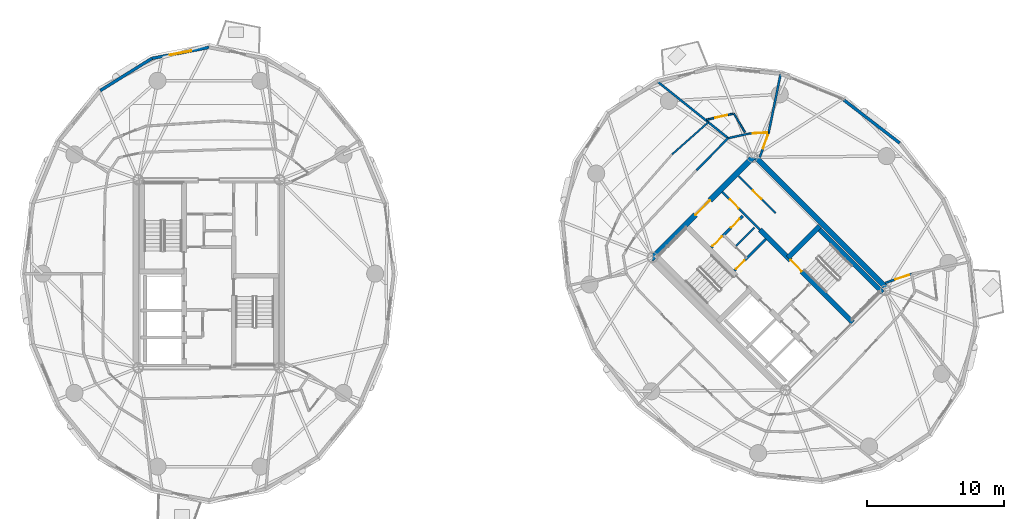
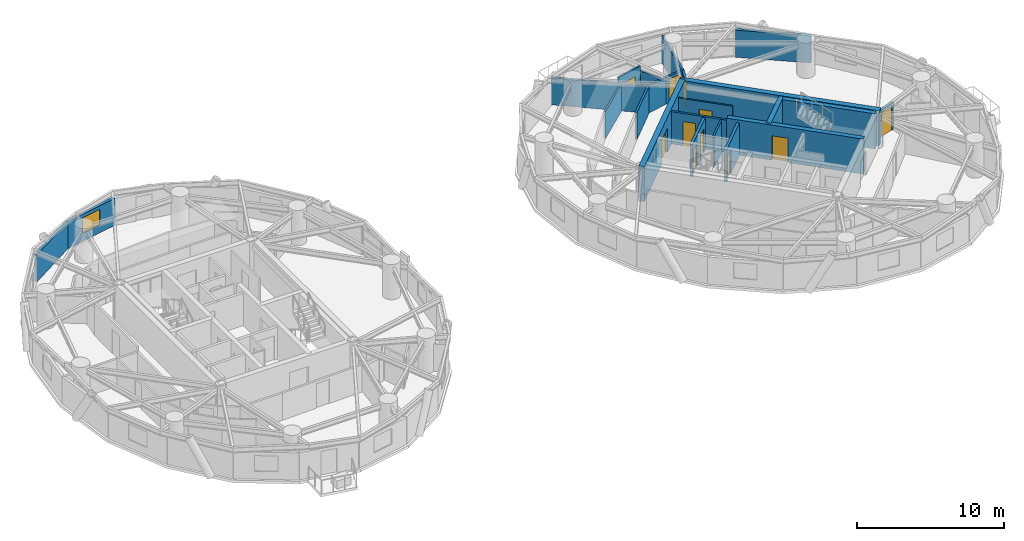
# One storey, part 12 of 16: 23 walls, 11 doors, 1 window, 12 openings.
"""IFC4 building model written with IfcOpenShell, lengths in metres."""

from ifc_helpers import new_model, si_unit, direction, frame, frame_2d, origin, place, context, subcontext, project, spatial, rectangle, extrude, source, transform, mapped, material, layer, layer_set, type_object, element, fill, save


model = new_model("IFC4")

# Units and contexts
model_context = context("Model", 3, precision=1e-05, world=origin(), true_north=direction((0.0, 1.0)))
body_context = subcontext(model_context, "Body", "Model", "MODEL_VIEW")
ifc_project = project(units=[si_unit("LENGTHUNIT", "METRE"), si_unit("AREAUNIT", "SQUARE_METRE"), si_unit("VOLUMEUNIT", "CUBIC_METRE"), si_unit("PLANEANGLEUNIT", "RADIAN"), si_unit("MASSUNIT", "GRAM", prefix="KILO")], contexts=[model_context])

# Site, building, storey
site_placement = place(None, origin())
site = spatial("IfcSite", under=ifc_project, at=site_placement, CompositionType="ELEMENT")
building_placement = place(site_placement, origin())
building = spatial("IfcBuilding", under=site, at=building_placement, Name="Cununo Teusaquillo Station Towers", CompositionType="ELEMENT")
storey_placement = place(building_placement, frame((0.0, 0.0, 171.969970703125)))
storey = spatial("IfcBuildingStorey", under=building, at=storey_placement, Name="L54", CompositionType="ELEMENT", Elevation=171.969970703125)

# Wall, opening, door
ifc_material_1 = material(Name="Concrete C50/60", Category="concrete")
ifc_layer_1 = layer(ifc_material_1, 0.35009765625)
ifc_layer_set_1 = layer_set([ifc_layer_1], Name="Concrete C50/60")
wall_type_1 = type_object("IfcWallType", Name="WL-CORE-350", PredefinedType="SHEAR", material=ifc_layer_set_1)
wall_1_placement = place(storey_placement, frame((63.627197265625, 20.939697265625, 0.0), z_axis=(0.0, 0.0, 1.0), x_axis=(-0.707119496762, 0.707094065383, 0.0)))
wall_1 = element("IfcWall", 1, at=wall_1_placement, inside=storey, type_object=wall_type_1, Name="L54 Tower B Core Shear Wall IE", PredefinedType="SHEAR", context=body_context, shape_type="SweptSolid", body=[
    extrude(rectangle(XDim=9.60009765625, YDim=0.35009765625, at=frame_2d((4.800048828125, 0.0))), origin(), (0.0, 0.0, 1.0), 2.909912109375),
])
shared_shape_1 = source(origin(), body_context, "Body", "SweptSolid", [
    extrude(rectangle(XDim=1.14990234375, YDim=2.02001953125, at=frame_2d((0.574951171875, 1.010009765625))), frame((0.0, 0.18505859375, 0.0), z_axis=(0.0, -1.0, 0.0), x_axis=(1.0, 0.0, 0.0)), (0.0, 0.0, 1.0), 0.3701171875),
])
opening_1_placement = place(wall_1_placement, frame((5.280029296875, 0.0, 0.0)))
opening_1 = element("IfcOpeningElement", 2, at=opening_1_placement, cuts=wall_1, Name="Opening D-ST1", PredefinedType="OPENING", context=body_context, shape_type="MappedRepresentation", body=[
    mapped(shared_shape_1, transform((0.0, 0.0, 0.0), x_axis=(1.0, 0.0, 0.0), y_axis=(0.0, 1.0, 0.0), z_axis=(0.0, 0.0, 1.0), scale=1.0)),
])
ifc_material_2 = material(Name="Galvanised fire-rated hollow steel door assembly", Category="steel")
door_type_1 = type_object("IfcDoorType", Name="DR-STAIR-1150", OperationType="NOTDEFINED", PredefinedType="DOOR", material=ifc_material_2)
shared_shape_2 = source(origin(), body_context, "Body", "SweptSolid", [
    extrude(rectangle(XDim=1.14990234375, YDim=2.02001953125, at=frame_2d((0.574951171875, 1.010009765625))), frame((0.0, 0.02490234375, 0.0), z_axis=(0.0, -1.0, 0.0), x_axis=(1.0, 0.0, 0.0)), (0.0, 0.0, 1.0), 0.050048828125),
])
door_1_placement = place(opening_1_placement, origin())
door_1 = element("IfcDoor", 3, at=door_1_placement, inside=storey, type_object=door_type_1, Name="L54 Tower B Exit Stair 2 Fire Door", OperationType="SINGLE_SWING_RIGHT", OverallHeight=2.02001953125, OverallWidth=1.14990234375, PredefinedType="DOOR", context=body_context, shape_type="MappedRepresentation", body=[
    mapped(shared_shape_2, transform((0.0, 0.0, 0.0), x_axis=(1.0, 0.0, 0.0), y_axis=(0.0, 1.0, 0.0), z_axis=(0.0, 0.0, 1.0), scale=1.0)),
])
fill(opening_1, door_1)

# Walls
wall_2_placement = place(storey_placement, frame((65.81201171875, 23.124755859375, 0.0), z_axis=(0.0, 0.0, 1.0), x_axis=(-0.707106781187, 0.707106781187, 0.0)))
element("IfcWall", 4, at=wall_2_placement, inside=storey, type_object=wall_type_1, Name="L54 Tower B Core Shear Wall ST2E", PredefinedType="SHEAR", context=body_context, shape_type="SweptSolid", body=[
    extrude(rectangle(XDim=6.695068359375, YDim=0.35009765625, at=frame_2d((3.34765625, 0.0))), origin(), (0.0, 0.0, 1.0), 2.909912109375),
])
wall_3_placement = place(storey_placement, frame((58.89306640625, 25.673828125, 0.0), z_axis=(0.0, 0.0, 1.0), x_axis=(0.707106781187, 0.707106781187, 0.0)))
element("IfcWall", 5, at=wall_3_placement, inside=storey, type_object=wall_type_1, Name="L54 Tower B Core Shear Wall ST2N", PredefinedType="SHEAR", context=body_context, shape_type="SweptSolid", body=[
    extrude(rectangle(XDim=3.284912109375, YDim=0.35009765625, at=frame_2d((1.642578125, 0.0))), origin(), (0.0, 0.0, 1.0), 2.909912109375),
])
ifc_material_3 = material(Name="Concrete C50/60", Category="concrete")
ifc_layer_2 = layer(ifc_material_3, 0.39990234375)
ifc_layer_set_2 = layer_set([ifc_layer_2], Name="Concrete C50/60")
wall_type_2 = type_object("IfcWallType", Name="WL-CORE-400", PredefinedType="SHEAR", material=ifc_layer_set_2)
wall_4_placement = place(storey_placement, frame((66.26806640625, 23.2978515625, 0.0), z_axis=(0.0, 0.0, 1.0), x_axis=(-0.707106781187, 0.707106781187, 0.0)))
element("IfcWall", 6, at=wall_4_placement, inside=storey, type_object=wall_type_2, Name="L54 Tower B Core Shear Wall E", PredefinedType="SHEAR", context=body_context, shape_type="SweptSolid", body=[
    extrude(rectangle(XDim=14.10009765625, YDim=0.39990234375, at=frame_2d((7.050048828125, 0.0))), origin(), (0.0, 0.0, 1.0), 2.909912109375),
])

# Wall, opening, door
wall_5_placement = place(storey_placement, frame((48.873291015625, 25.560791015625, 0.0), z_axis=(0.0, 0.0, 1.0), x_axis=(0.707106781187, 0.707106781187, 0.0)))
wall_5 = element("IfcWall", 7, at=wall_5_placement, inside=storey, type_object=wall_type_2, Name="L54 Tower B Core Shear Wall N", PredefinedType="SHEAR", context=body_context, shape_type="SweptSolid", body=[
    extrude(rectangle(XDim=10.69970703125, YDim=0.39990234375, at=frame_2d((5.349853515625, 0.0))), origin(), (0.0, 0.0, 1.0), 2.909912109375),
])
shared_shape_3 = source(origin(), body_context, "Body", "SweptSolid", [
    extrude(rectangle(XDim=1.5, YDim=2.02001953125, at=frame_2d((0.75, 1.010009765625))), frame((0.0, 0.2099609375, 0.0), z_axis=(0.0, -1.0, 0.0), x_axis=(1.0, 0.0, 0.0)), (0.0, 0.0, 1.0), 0.419921875),
])
opening_2_placement = place(wall_5_placement, frame((4.60009765625, 0.0, 0.0)))
opening_2 = element("IfcOpeningElement", 8, at=opening_2_placement, cuts=wall_5, Name="Opening D-LB1", PredefinedType="OPENING", context=body_context, shape_type="MappedRepresentation", body=[
    mapped(shared_shape_3, transform((0.0, 0.0, 0.0), x_axis=(1.0, 0.0, 0.0), y_axis=(0.0, 1.0, 0.0), z_axis=(0.0, 0.0, 1.0), scale=1.0)),
])
ifc_material_4 = material(Name="Galvanised fire-rated hollow steel door assembly", Category="steel")
door_type_2 = type_object("IfcDoorType", Name="DR-LOBBY-1500", OperationType="DOUBLE_DOOR_SINGLE_SWING", PredefinedType="DOOR", material=ifc_material_4)
shared_shape_4 = source(origin(), body_context, "Body", "SweptSolid", [
    extrude(rectangle(XDim=1.5, YDim=2.02001953125, at=frame_2d((0.75, 1.010009765625))), frame((0.0, 0.02490234375, 0.0), z_axis=(0.0, -1.0, 0.0), x_axis=(1.0, 0.0, 0.0)), (0.0, 0.0, 1.0), 0.050048828125),
])
door_2_placement = place(opening_2_placement, origin())
door_2 = element("IfcDoor", 9, at=door_2_placement, inside=storey, type_object=door_type_2, Name="L54 Tower B North Core Lift Lobby Door", OperationType="DOUBLE_DOOR_SINGLE_SWING", OverallHeight=2.02001953125, OverallWidth=1.5, PredefinedType="DOOR", context=body_context, shape_type="MappedRepresentation", body=[
    mapped(shared_shape_4, transform((0.0, 0.0, 0.0), x_axis=(1.0, 0.0, 0.0), y_axis=(0.0, 1.0, 0.0), z_axis=(0.0, 0.0, 1.0), scale=1.0)),
])
fill(opening_2, door_2)

# Wall, opening, window
ifc_material_5 = material(Name="Precast concrete C40/50", Category="concrete")
ifc_layer_3 = layer(ifc_material_5, 0.219970703125)
ifc_layer_set_3 = layer_set([ifc_layer_3], Name="Precast concrete C40/50")
wall_type_3 = type_object("IfcWallType", Name="WL-EXT-220", PredefinedType="SOLIDWALL", material=ifc_layer_set_3)
wall_6_placement = place(storey_placement, frame((12.318603515625, 40.259033203125, 0.0), z_axis=(0.0, 0.0, 1.0), x_axis=(0.981703883443, 0.190413983815, 0.0)))
wall_6 = element("IfcWall", 10, at=wall_6_placement, inside=storey, type_object=wall_type_3, Name="L54 Tower A Exterior Facade Wall C05", PredefinedType="SOLIDWALL", context=body_context, shape_type="SweptSolid", body=[
    extrude(rectangle(XDim=4.25927734375, YDim=0.219970703125, at=frame_2d((2.129638671875, 0.0))), origin(), (0.0, 0.0, 1.0), 2.2451171875),
])
shared_shape_5 = source(origin(), body_context, "Body", "SweptSolid", [
    extrude(rectangle(XDim=1.60009765625, YDim=1.300048828125, at=frame_2d((0.800048828125, 0.64990234375))), frame((0.0, 0.119873046875, 0.0), z_axis=(0.0, -1.0, 0.0), x_axis=(1.0, 0.0, 0.0)), (0.0, 0.0, 1.0), 0.239990234375),
])
opening_3_placement = place(wall_6_placement, frame((1.330078125, 0.0, 0.64990234375)))
opening_3 = element("IfcOpeningElement", 11, at=opening_3_placement, cuts=wall_6, Name="Opening WN-03", PredefinedType="OPENING", context=body_context, shape_type="MappedRepresentation", body=[
    mapped(shared_shape_5, transform((0.0, 0.0, 0.0), x_axis=(1.0, 0.0, 0.0), y_axis=(0.0, 1.0, 0.0), z_axis=(0.0, 0.0, 1.0), scale=1.0)),
])
ifc_material_6 = material(Name="Ceramic-fritted dark low-E double glazing", Category="glass")
window_type = type_object("IfcWindowType", Name="WIN-CORN-1600", PartitioningType="SINGLE_PANEL", PredefinedType="WINDOW", material=ifc_material_6)
shared_shape_6 = source(origin(), body_context, "Body", "SweptSolid", [
    extrude(rectangle(XDim=1.60009765625, YDim=1.300048828125, at=frame_2d((0.800048828125, 0.64990234375))), frame((0.0, 0.030029296875, 0.0), z_axis=(0.0, -1.0, 0.0), x_axis=(1.0, 0.0, 0.0)), (0.0, 0.0, 1.0), 0.06005859375),
])
window_placement = place(opening_3_placement, origin())
window = element("IfcWindow", 12, at=window_placement, inside=storey, type_object=window_type, Name="L54 Tower A Facade Window C05", OverallHeight=1.300048828125, OverallWidth=1.60009765625, PartitioningType="SINGLE_PANEL", PredefinedType="WINDOW", context=body_context, shape_type="MappedRepresentation", body=[
    mapped(shared_shape_6, transform((0.0, 0.0, 0.0), x_axis=(1.0, 0.0, 0.0), y_axis=(0.0, 1.0, 0.0), z_axis=(0.0, 0.0, 1.0), scale=1.0)),
])
fill(opening_3, window)

# Walls
wall_7_placement = place(storey_placement, frame((8.546630859375, 37.905517578125, 0.0), z_axis=(0.0, 0.0, 1.0), x_axis=(0.848399108042, 0.529357113368, 0.0)))
element("IfcWall", 13, at=wall_7_placement, inside=storey, type_object=wall_type_3, Name="L54 Tower A Exterior Facade Wall C06", PredefinedType="SOLIDWALL", context=body_context, shape_type="SweptSolid", body=[
    extrude(rectangle(XDim=4.446044921875, YDim=0.219970703125, at=frame_2d((2.22314453125, 0.0))), origin(), (0.0, 0.0, 1.0), 2.2451171875),
])
wall_8_placement = place(storey_placement, frame((62.97900390625, 37.22021484375, 0.0), z_axis=(0.0, 0.0, 1.0), x_axis=(0.791962560189, -0.610569654715, 0.0)))
element("IfcWall", 14, at=wall_8_placement, inside=storey, type_object=wall_type_3, Name="L54 Tower B Exterior Facade Wall C00", PredefinedType="SOLIDWALL", context=body_context, shape_type="SweptSolid", body=[
    extrude(rectangle(XDim=5.162841796875, YDim=0.219970703125, at=frame_2d((2.58154296875, 0.0))), origin(), (0.0, 0.0, 1.0), 2.2451171875),
])
ifc_material_7 = material(Name="Fire-rated gypsum plasterboard partition assembly", Category="gypsum")
ifc_layer_4 = layer(ifc_material_7, 0.125)
ifc_layer_set_4 = layer_set([ifc_layer_4], Name="Fire-rated gypsum plasterboard partition assembly")
wall_type_4 = type_object("IfcWallType", Name="WL-PART-125", PredefinedType="PARTITIONING", material=ifc_layer_set_4)
wall_9_placement = place(storey_placement, frame((55.0888671875, 26.54345703125, 0.0), z_axis=(0.0, 0.0, 1.0), x_axis=(0.707106781187, 0.707106781187, 0.0)))
element("IfcWall", 15, at=wall_9_placement, inside=storey, type_object=wall_type_4, Name="L54 Tower B Core Horizontal Split Wall", PredefinedType="PARTITIONING", context=body_context, shape_type="SweptSolid", body=[
    extrude(rectangle(XDim=1.8798828125, YDim=0.125, at=frame_2d((0.93994140625, 0.0))), origin(), (0.0, 0.0, 1.0), 2.675048828125),
])

# Wall, opening, door
wall_10_placement = place(storey_placement, frame((57.980712890625, 28.940673828125, 0.0), z_axis=(0.0, 0.0, 1.0), x_axis=(-0.707074823725, 0.707138737204, 0.0)))
wall_10 = element("IfcWall", 16, at=wall_10_placement, inside=storey, type_object=wall_type_4, Name="L54 Tower B Reclaimed Bay Vertical Split Wall", PredefinedType="PARTITIONING", context=body_context, shape_type="SweptSolid", body=[
    extrude(rectangle(XDim=3.81982421875, YDim=0.125, at=frame_2d((1.909912109375, 0.0))), origin(), (0.0, 0.0, 1.0), 2.675048828125),
])
shared_shape_7 = source(origin(), body_context, "Body", "SweptSolid", [
    extrude(rectangle(XDim=0.89990234375, YDim=2.0048828125, at=frame_2d((0.449951171875, 1.00244140625))), frame((0.0, 0.072509765625, 0.0), z_axis=(0.0, -1.0, 0.0), x_axis=(1.0, 0.0, 0.0)), (0.0, 0.0, 1.0), 0.14501953125),
])
opening_4_placement = place(wall_10_placement, frame((1.449951171875, 0.0, 0.0)))
opening_4 = element("IfcOpeningElement", 17, at=opening_4_placement, cuts=wall_10, Name="Opening D-IN1", PredefinedType="OPENING", context=body_context, shape_type="MappedRepresentation", body=[
    mapped(shared_shape_7, transform((0.0, 0.0, 0.0), x_axis=(1.0, 0.0, 0.0), y_axis=(0.0, 1.0, 0.0), z_axis=(0.0, 0.0, 1.0), scale=1.0)),
])
ifc_material_8 = material(Name="Acoustic solid-core hardwood leaf assembly", Category="wood")
door_type_3 = type_object("IfcDoorType", Name="DR-INT-900", OperationType="NOTDEFINED", PredefinedType="DOOR", material=ifc_material_8)
shared_shape_8 = source(origin(), body_context, "Body", "SweptSolid", [
    extrude(rectangle(XDim=0.89990234375, YDim=2.0048828125, at=frame_2d((0.449951171875, 1.00244140625))), frame((0.0, 0.02490234375, 0.0), z_axis=(0.0, -1.0, 0.0), x_axis=(1.0, 0.0, 0.0)), (0.0, 0.0, 1.0), 0.050048828125),
])
door_3_placement = place(opening_4_placement, origin())
door_3 = element("IfcDoor", 18, at=door_3_placement, inside=storey, type_object=door_type_3, Name="L54 Tower B Reclaimed Acoustic Booth Door", OperationType="SINGLE_SWING_LEFT", OverallHeight=2.0048828125, OverallWidth=0.89990234375, PredefinedType="DOOR", context=body_context, shape_type="MappedRepresentation", body=[
    mapped(shared_shape_8, transform((0.0, 0.0, 0.0), x_axis=(1.0, 0.0, 0.0), y_axis=(0.0, 1.0, 0.0), z_axis=(0.0, 0.0, 1.0), scale=1.0)),
])
fill(opening_4, door_3)

# Wall
wall_11_placement = place(storey_placement, frame((55.7373046875, 34.8525390625, 0.0), z_axis=(0.0, 0.0, 1.0), x_axis=(-0.506282425857, 0.862367732043, 0.0)))
element("IfcWall", 19, at=wall_11_placement, inside=storey, type_object=wall_type_4, Name="L54 Tower B S01 En-suite Side Wall", PredefinedType="PARTITIONING", context=body_context, shape_type="SweptSolid", body=[
    extrude(rectangle(XDim=1.59130859375, YDim=0.125, at=frame_2d((0.795654296875, 0.0))), origin(), (0.0, 0.0, 1.0), 2.2451171875),
])

# Wall, opening, door
wall_12_placement = place(storey_placement, frame((54.87109375, 36.211181640625, 0.0), z_axis=(0.0, 0.0, 1.0), x_axis=(-0.975212623293, -0.221269833846, 0.0)))
wall_12 = element("IfcWall", 20, at=wall_12_placement, inside=storey, type_object=wall_type_4, Name="L54 Tower B S01 En-suite Back Wall", PredefinedType="PARTITIONING", context=body_context, shape_type="SweptSolid", body=[
    extrude(rectangle(XDim=1.982666015625, YDim=0.125, at=frame_2d((0.9912109375, 0.0))), origin(), (0.0, 0.0, 1.0), 2.675048828125),
])
opening_5_placement = place(wall_12_placement, frame((0.43603515625, 0.0, 0.0)))
opening_5 = element("IfcOpeningElement", 21, at=opening_5_placement, cuts=wall_12, Name="Opening D-IN1", PredefinedType="OPENING", context=body_context, shape_type="MappedRepresentation", body=[
    mapped(shared_shape_7, transform((0.0, 0.0, 0.0), x_axis=(1.0, 0.0, 0.0), y_axis=(0.0, 1.0, 0.0), z_axis=(0.0, 0.0, 1.0), scale=1.0)),
])
door_4_placement = place(opening_5_placement, origin())
door_4 = element("IfcDoor", 22, at=door_4_placement, inside=storey, type_object=door_type_3, Name="L54 Tower B S01 En-suite Bathroom Door", OperationType="SINGLE_SWING_LEFT", OverallHeight=2.0048828125, OverallWidth=0.89990234375, PredefinedType="DOOR", context=body_context, shape_type="MappedRepresentation", body=[
    mapped(shared_shape_8, transform((0.0, 0.0, 0.0), x_axis=(1.0, 0.0, 0.0), y_axis=(0.0, 1.0, 0.0), z_axis=(0.0, 0.0, 1.0), scale=1.0)),
])
fill(opening_5, door_4)

# Wall
wall_13_placement = place(storey_placement, frame((53.060302734375, 35.5869140625, 0.0), z_axis=(0.0, 0.0, 1.0), x_axis=(-0.748390346028, -0.663258539314, 0.0)))
element("IfcWall", 23, at=wall_13_placement, inside=storey, type_object=wall_type_4, Name="L54 Tower B Private Butler & Banquet Hall Concentric Partition Wall C04", PredefinedType="PARTITIONING", context=body_context, shape_type="SweptSolid", body=[
    extrude(rectangle(XDim=3.55322265625, YDim=0.125, at=frame_2d((1.776611328125, 0.0))), origin(), (0.0, 0.0, 1.0), 2.2451171875),
])

# Wall, opening, door
ifc_material_9 = material(Name="Fire-rated gypsum plasterboard partition assembly", Category="gypsum")
ifc_layer_5 = layer(ifc_material_9, 0.14990234375)
ifc_layer_set_5 = layer_set([ifc_layer_5], Name="Fire-rated gypsum plasterboard partition assembly")
wall_type_5 = type_object("IfcWallType", Name="WL-PART-150", PredefinedType="PARTITIONING", material=ifc_layer_set_5)
wall_14_placement = place(storey_placement, frame((57.477783203125, 34.837890625, 0.0), z_axis=(0.0, 0.0, 1.0), x_axis=(-0.998448388303, -0.05568497011, 0.0)))
wall_14 = element("IfcWall", 24, at=wall_14_placement, inside=storey, type_object=wall_type_5, Name="L54 Tower B Corridor Ring Wall C02", PredefinedType="PARTITIONING", context=body_context, shape_type="SweptSolid", body=[
    extrude(rectangle(XDim=1.44677734375, YDim=0.14990234375, at=frame_2d((0.723388671875, 0.0))), origin(), (0.0, 0.0, 1.0), 2.2451171875),
])
shared_shape_9 = source(origin(), body_context, "Body", "SweptSolid", [
    extrude(rectangle(XDim=1.050048828125, YDim=2.014892578125, at=frame_2d((0.52490234375, 1.00732421875))), frame((0.0, 0.0849609375, 0.0), z_axis=(0.0, -1.0, 0.0), x_axis=(1.0, 0.0, 0.0)), (0.0, 0.0, 1.0), 0.169921875),
])
opening_6_placement = place(wall_14_placement, frame((0.1201171875, 0.0, 0.0)))
opening_6 = element("IfcOpeningElement", 25, at=opening_6_placement, cuts=wall_14, Name="Opening D-SU1", PredefinedType="OPENING", context=body_context, shape_type="MappedRepresentation", body=[
    mapped(shared_shape_9, transform((0.0, 0.0, 0.0), x_axis=(1.0, 0.0, 0.0), y_axis=(0.0, 1.0, 0.0), z_axis=(0.0, 0.0, 1.0), scale=1.0)),
])
ifc_material_10 = material(Name="Acoustic solid-core hardwood leaf assembly", Category="wood")
door_type_4 = type_object("IfcDoorType", Name="DR-SUITE-1050", OperationType="NOTDEFINED", PredefinedType="DOOR", material=ifc_material_10)
shared_shape_10 = source(origin(), body_context, "Body", "SweptSolid", [
    extrude(rectangle(XDim=1.050048828125, YDim=2.014892578125, at=frame_2d((0.52490234375, 1.00732421875))), frame((0.0, 0.02490234375, 0.0), z_axis=(0.0, -1.0, 0.0), x_axis=(1.0, 0.0, 0.0)), (0.0, 0.0, 1.0), 0.050048828125),
])
door_5_placement = place(opening_6_placement, origin())
door_5 = element("IfcDoor", 26, at=door_5_placement, inside=storey, type_object=door_type_4, Name="L54 Tower B Royal Teusaquillo Hotel Suite Entrance Door", OperationType="SINGLE_SWING_RIGHT", OverallHeight=2.014892578125, OverallWidth=1.050048828125, PredefinedType="DOOR", context=body_context, shape_type="MappedRepresentation", body=[
    mapped(shared_shape_10, transform((0.0, 0.0, 0.0), x_axis=(1.0, 0.0, 0.0), y_axis=(0.0, 1.0, 0.0), z_axis=(0.0, 0.0, 1.0), scale=1.0)),
])
fill(opening_6, door_5)

# Walls
wall_15_placement = place(storey_placement, frame((56.033203125, 34.75732421875, 0.0), z_axis=(0.0, 0.0, 1.0), x_axis=(-0.976507263775, -0.215484486204, 0.0)))
element("IfcWall", 27, at=wall_15_placement, inside=storey, type_object=wall_type_5, Name="L54 Tower B Corridor Ring Wall C03", PredefinedType="PARTITIONING", context=body_context, shape_type="SweptSolid", body=[
    extrude(rectangle(XDim=1.5556640625, YDim=0.14990234375, at=frame_2d((0.77783203125, 0.0))), origin(), (0.0, 0.0, 1.0), 2.2451171875),
])
wall_16_placement = place(storey_placement, frame((54.51416015625, 34.422119140625, 0.0), z_axis=(0.0, 0.0, 1.0), x_axis=(-0.703289573518, -0.710903492593, 0.0)))
element("IfcWall", 28, at=wall_16_placement, inside=storey, type_object=wall_type_5, Name="L54 Tower B Corridor Ring Wall C04", PredefinedType="PARTITIONING", context=body_context, shape_type="SweptSolid", body=[
    extrude(rectangle(XDim=3.302734375, YDim=0.14990234375, at=frame_2d((1.6513671875, 0.0))), origin(), (0.0, 0.0, 1.0), 2.2451171875),
])

# Wall, opening, door
ifc_material_11 = material(Name="Fire-rated gypsum plasterboard partition assembly", Category="gypsum")
ifc_layer_6 = layer(ifc_material_11, 0.159912109375)
ifc_layer_set_6 = layer_set([ifc_layer_6], Name="Fire-rated gypsum plasterboard partition assembly")
wall_type_6 = type_object("IfcWallType", Name="WL-PART-160", PredefinedType="PARTITIONING", material=ifc_layer_set_6)
wall_17_placement = place(storey_placement, frame((56.8388671875, 27.727783203125, 0.0), z_axis=(0.0, 0.0, 1.0), x_axis=(-0.707106781187, 0.707106781187, 0.0)))
wall_17 = element("IfcWall", 29, at=wall_17_placement, inside=storey, type_object=wall_type_6, Name="L54 Tower B Reclaimed Core Bay Entry Wall", PredefinedType="PARTITIONING", context=body_context, shape_type="SweptSolid", body=[
    extrude(rectangle(XDim=3.900146484375, YDim=0.159912109375, at=frame_2d((1.9501953125, 0.0))), origin(), (0.0, 0.0, 1.0), 2.675048828125),
])
shared_shape_11 = source(origin(), body_context, "Body", "SweptSolid", [
    extrude(rectangle(XDim=0.89990234375, YDim=2.0048828125, at=frame_2d((0.449951171875, 1.00244140625))), frame((0.0, 0.08984375, 0.0), z_axis=(0.0, -1.0, 0.0), x_axis=(1.0, 0.0, 0.0)), (0.0, 0.0, 1.0), 0.179931640625),
])
opening_7_placement = place(wall_17_placement, frame((2.199951171875, 0.0, 0.0)))
opening_7 = element("IfcOpeningElement", 30, at=opening_7_placement, cuts=wall_17, Name="Opening D-IN1", PredefinedType="OPENING", context=body_context, shape_type="MappedRepresentation", body=[
    mapped(shared_shape_11, transform((0.0, 0.0, 0.0), x_axis=(1.0, 0.0, 0.0), y_axis=(0.0, 1.0, 0.0), z_axis=(0.0, 0.0, 1.0), scale=1.0)),
])
door_6_placement = place(opening_7_placement, origin())
door_6 = element("IfcDoor", 31, at=door_6_placement, inside=storey, type_object=door_type_3, Name="L54 Tower B Reclaimed Meeting Room Door", OperationType="SINGLE_SWING_RIGHT", OverallHeight=2.0048828125, OverallWidth=0.89990234375, PredefinedType="DOOR", context=body_context, shape_type="MappedRepresentation", body=[
    mapped(shared_shape_8, transform((0.0, 0.0, 0.0), x_axis=(1.0, 0.0, 0.0), y_axis=(0.0, 1.0, 0.0), z_axis=(0.0, 0.0, 1.0), scale=1.0)),
])
fill(opening_7, door_6)

# Walls
wall_18_placement = place(storey_placement, frame((57.477783203125, 34.837890625, 0.0), z_axis=(0.0, 0.0, 1.0), x_axis=(0.200272806445, 0.979740171167, 0.0)))
element("IfcWall", 32, at=wall_18_placement, inside=storey, type_object=wall_type_6, Name="L54 Tower B Radial Suite Partition R01", PredefinedType="PARTITIONING", context=body_context, shape_type="SweptSolid", body=[
    extrude(rectangle(XDim=4.358154296875, YDim=0.159912109375, at=frame_2d((2.17919921875, 0.0))), origin(), (0.0, 0.0, 1.0), 2.2451171875),
])
wall_19_placement = place(storey_placement, frame((54.51416015625, 34.422119140625, 0.0), z_axis=(0.0, 0.0, 1.0), x_axis=(-0.780385234796, 0.625299036712, 0.0)))
element("IfcWall", 33, at=wall_19_placement, inside=storey, type_object=wall_type_6, Name="L54 Tower B Radial Suite Partition R02", PredefinedType="PARTITIONING", context=body_context, shape_type="SweptSolid", body=[
    extrude(rectangle(XDim=6.652587890625, YDim=0.159912109375, at=frame_2d((3.326171875, 0.0))), origin(), (0.0, 0.0, 1.0), 2.2451171875),
])

# Wall, opening, door
wall_20_placement = place(storey_placement, frame((56.828125, 33.0205078125, 0.0), z_axis=(0.0, 0.0, 1.0), x_axis=(0.336608838259, 0.941644566705, 0.0)))
wall_20 = element("IfcWall", 34, at=wall_20_placement, inside=storey, type_object=wall_type_6, Name="L54 Tower B East Salon Corridor Portal Wall NE", PredefinedType="PARTITIONING", context=body_context, shape_type="SweptSolid", body=[
    extrude(rectangle(XDim=1.929931640625, YDim=0.159912109375, at=frame_2d((0.96484375, 0.0))), origin(), (0.0, 0.0, 1.0), 2.2451171875),
])
shared_shape_12 = source(origin(), body_context, "Body", "SweptSolid", [
    extrude(rectangle(XDim=1.050048828125, YDim=2.014892578125, at=frame_2d((0.52490234375, 1.00732421875))), frame((0.0, 0.08984375, 0.0), z_axis=(0.0, -1.0, 0.0), x_axis=(1.0, 0.0, 0.0)), (0.0, 0.0, 1.0), 0.179931640625),
])
opening_8_placement = place(wall_20_placement, frame((0.679931640625, 0.0, 0.0)))
opening_8 = element("IfcOpeningElement", 35, at=opening_8_placement, cuts=wall_20, Name="Opening D-SU1", PredefinedType="OPENING", context=body_context, shape_type="MappedRepresentation", body=[
    mapped(shared_shape_12, transform((0.0, 0.0, 0.0), x_axis=(1.0, 0.0, 0.0), y_axis=(0.0, 1.0, 0.0), z_axis=(0.0, 0.0, 1.0), scale=1.0)),
])
door_7_placement = place(opening_8_placement, origin())
door_7 = element("IfcDoor", 36, at=door_7_placement, inside=storey, type_object=door_type_4, Name="L54 Tower B East Panorama Sky Salon Door NE", OperationType="SINGLE_SWING_RIGHT", OverallHeight=2.014892578125, OverallWidth=1.050048828125, PredefinedType="DOOR", context=body_context, shape_type="MappedRepresentation", body=[
    mapped(shared_shape_10, transform((0.0, 0.0, 0.0), x_axis=(1.0, 0.0, 0.0), y_axis=(0.0, 1.0, 0.0), z_axis=(0.0, 0.0, 1.0), scale=1.0)),
])
fill(opening_8, door_7)

wall_21_placement = place(storey_placement, frame((66.0205078125, 23.828125, 0.0), z_axis=(0.0, 0.0, 1.0), x_axis=(0.946687463515, 0.32215345167, 0.0)))
wall_21 = element("IfcWall", 37, at=wall_21_placement, inside=storey, type_object=wall_type_6, Name="L54 Tower B East Salon Corridor Portal Wall SE", PredefinedType="PARTITIONING", context=body_context, shape_type="SweptSolid", body=[
    extrude(rectangle(XDim=2.02490234375, YDim=0.159912109375, at=frame_2d((1.012451171875, 0.0))), origin(), (0.0, 0.0, 1.0), 2.2451171875),
])
opening_9_placement = place(wall_21_placement, frame((0.774658203125, 0.0, 0.0)))
opening_9 = element("IfcOpeningElement", 38, at=opening_9_placement, cuts=wall_21, Name="Opening D-SU1", PredefinedType="OPENING", context=body_context, shape_type="MappedRepresentation", body=[
    mapped(shared_shape_12, transform((0.0, 0.0, 0.0), x_axis=(1.0, 0.0, 0.0), y_axis=(0.0, 1.0, 0.0), z_axis=(0.0, 0.0, 1.0), scale=1.0)),
])
door_8_placement = place(opening_9_placement, origin())
door_8 = element("IfcDoor", 39, at=door_8_placement, inside=storey, type_object=door_type_4, Name="L54 Tower B East Panorama Sky Salon Door SE", OperationType="SINGLE_SWING_LEFT", OverallHeight=2.014892578125, OverallWidth=1.050048828125, PredefinedType="DOOR", context=body_context, shape_type="MappedRepresentation", body=[
    mapped(shared_shape_10, transform((0.0, 0.0, 0.0), x_axis=(1.0, 0.0, 0.0), y_axis=(0.0, 1.0, 0.0), z_axis=(0.0, 0.0, 1.0), scale=1.0)),
])
fill(opening_9, door_8)

ifc_material_12 = material(Name="Fire-rated gypsum plasterboard partition assembly", Category="gypsum")
ifc_layer_7 = layer(ifc_material_12, 0.199951171875)
ifc_layer_set_7 = layer_set([ifc_layer_7], Name="Fire-rated gypsum plasterboard partition assembly")
wall_type_7 = type_object("IfcWallType", Name="WL-PART-200", PredefinedType="PARTITIONING", material=ifc_layer_set_7)
wall_22_placement = place(storey_placement, frame((54.96142578125, 24.71923828125, 0.0), z_axis=(0.0, 0.0, 1.0), x_axis=(0.707106781187, 0.707106781187, 0.0)))
wall_22 = element("IfcWall", 40, at=wall_22_placement, inside=storey, type_object=wall_type_7, Name="L54 Tower B Firefighting Lift Lobby North Fire Wall", PredefinedType="PARTITIONING", context=body_context, shape_type="SweptSolid", body=[
    extrude(rectangle(XDim=3.280029296875, YDim=0.199951171875, at=frame_2d((1.64013671875, 0.0))), origin(), (0.0, 0.0, 1.0), 2.675048828125),
])
shared_shape_13 = source(origin(), body_context, "Body", "SweptSolid", [
    extrude(rectangle(XDim=0.89990234375, YDim=2.0048828125, at=frame_2d((0.449951171875, 1.00244140625))), frame((0.0, 0.10986328125, 0.0), z_axis=(0.0, -1.0, 0.0), x_axis=(1.0, 0.0, 0.0)), (0.0, 0.0, 1.0), 0.219970703125),
])
opening_10_placement = place(wall_22_placement, frame((0.159912109375, 0.0, 0.0)))
opening_10 = element("IfcOpeningElement", 41, at=opening_10_placement, cuts=wall_22, Name="Opening D-SR1", PredefinedType="OPENING", context=body_context, shape_type="MappedRepresentation", body=[
    mapped(shared_shape_13, transform((0.0, 0.0, 0.0), x_axis=(1.0, 0.0, 0.0), y_axis=(0.0, 1.0, 0.0), z_axis=(0.0, 0.0, 1.0), scale=1.0)),
])
ifc_material_13 = material(Name="Galvanised fire-rated hollow steel door assembly", Category="steel")
door_type_5 = type_object("IfcDoorType", Name="DR-STORE-900", OperationType="NOTDEFINED", PredefinedType="DOOR", material=ifc_material_13)
door_9_placement = place(opening_10_placement, origin())
door_9 = element("IfcDoor", 42, at=door_9_placement, inside=storey, type_object=door_type_5, Name="L54 Tower B Stair 1 Protected Vestibule South Door", OperationType="SINGLE_SWING_LEFT", OverallHeight=2.0048828125, OverallWidth=0.89990234375, PredefinedType="DOOR", context=body_context, shape_type="MappedRepresentation", body=[
    mapped(shared_shape_8, transform((0.0, 0.0, 0.0), x_axis=(1.0, 0.0, 0.0), y_axis=(0.0, 1.0, 0.0), z_axis=(0.0, 0.0, 1.0), scale=1.0)),
])
fill(opening_10, door_9)

# Wall, openings, doors
wall_23_placement = place(storey_placement, frame((53.264404296875, 26.416259765625, 0.0), z_axis=(0.0, 0.0, 1.0), x_axis=(0.707106781187, 0.707106781187, 0.0)))
wall_23 = element("IfcWall", 43, at=wall_23_placement, inside=storey, type_object=wall_type_7, Name="L54 Tower B North Lift Lobby South Fire Wall", PredefinedType="PARTITIONING", context=body_context, shape_type="SweptSolid", body=[
    extrude(rectangle(XDim=3.280029296875, YDim=0.199951171875, at=frame_2d((1.64013671875, 0.0))), origin(), (0.0, 0.0, 1.0), 2.675048828125),
])
shared_shape_14 = source(origin(), body_context, "Body", "SweptSolid", [
    extrude(rectangle(XDim=1.0, YDim=2.014892578125, at=frame_2d((0.5, 1.00732421875))), frame((0.0, 0.10986328125, 0.0), z_axis=(0.0, -1.0, 0.0), x_axis=(1.0, 0.0, 0.0)), (0.0, 0.0, 1.0), 0.219970703125),
])
opening_11_placement = place(wall_23_placement, frame((0.139892578125, 0.0, 0.0)))
opening_11 = element("IfcOpeningElement", 44, at=opening_11_placement, cuts=wall_23, Name="Opening D-AC1", PredefinedType="OPENING", context=body_context, shape_type="MappedRepresentation", body=[
    mapped(shared_shape_14, transform((0.0, 0.0, 0.0), x_axis=(1.0, 0.0, 0.0), y_axis=(0.0, 1.0, 0.0), z_axis=(0.0, 0.0, 1.0), scale=1.0)),
])
opening_12_placement = place(wall_23_placement, frame((2.050048828125, 0.0, 0.0)))
opening_12 = element("IfcOpeningElement", 45, at=opening_12_placement, cuts=wall_23, Name="Opening D-SR1", PredefinedType="OPENING", context=body_context, shape_type="MappedRepresentation", body=[
    mapped(shared_shape_13, transform((0.0, 0.0, 0.0), x_axis=(1.0, 0.0, 0.0), y_axis=(0.0, 1.0, 0.0), z_axis=(0.0, 0.0, 1.0), scale=1.0)),
])
door_10_placement = place(opening_12_placement, origin())
door_10 = element("IfcDoor", 46, at=door_10_placement, inside=storey, type_object=door_type_5, Name="L54 Tower B Core Comms Room Door", OperationType="SINGLE_SWING_LEFT", OverallHeight=2.0048828125, OverallWidth=0.89990234375, PredefinedType="DOOR", context=body_context, shape_type="MappedRepresentation", body=[
    mapped(shared_shape_8, transform((0.0, 0.0, 0.0), x_axis=(1.0, 0.0, 0.0), y_axis=(0.0, 1.0, 0.0), z_axis=(0.0, 0.0, 1.0), scale=1.0)),
])
fill(opening_12, door_10)
ifc_material_14 = material(Name="Acoustic solid-core hardwood leaf assembly", Category="wood")
door_type_6 = type_object("IfcDoorType", Name="DR-ACC-1000", OperationType="NOTDEFINED", PredefinedType="DOOR", material=ifc_material_14)
shared_shape_15 = source(origin(), body_context, "Body", "SweptSolid", [
    extrude(rectangle(XDim=1.0, YDim=2.014892578125, at=frame_2d((0.5, 1.00732421875))), frame((0.0, 0.02490234375, 0.0), z_axis=(0.0, -1.0, 0.0), x_axis=(1.0, 0.0, 0.0)), (0.0, 0.0, 1.0), 0.050048828125),
])
door_11_placement = place(opening_11_placement, origin())
door_11 = element("IfcDoor", 47, at=door_11_placement, inside=storey, type_object=door_type_6, Name="L54 Tower B North Lift Lobby to Stair 1 Vestibule Door", OperationType="SINGLE_SWING_RIGHT", OverallHeight=2.014892578125, OverallWidth=1.0, PredefinedType="DOOR", context=body_context, shape_type="MappedRepresentation", body=[
    mapped(shared_shape_15, transform((0.0, 0.0, 0.0), x_axis=(1.0, 0.0, 0.0), y_axis=(0.0, 1.0, 0.0), z_axis=(0.0, 0.0, 1.0), scale=1.0)),
])
fill(opening_11, door_11)

save(model, "model.ifc")
